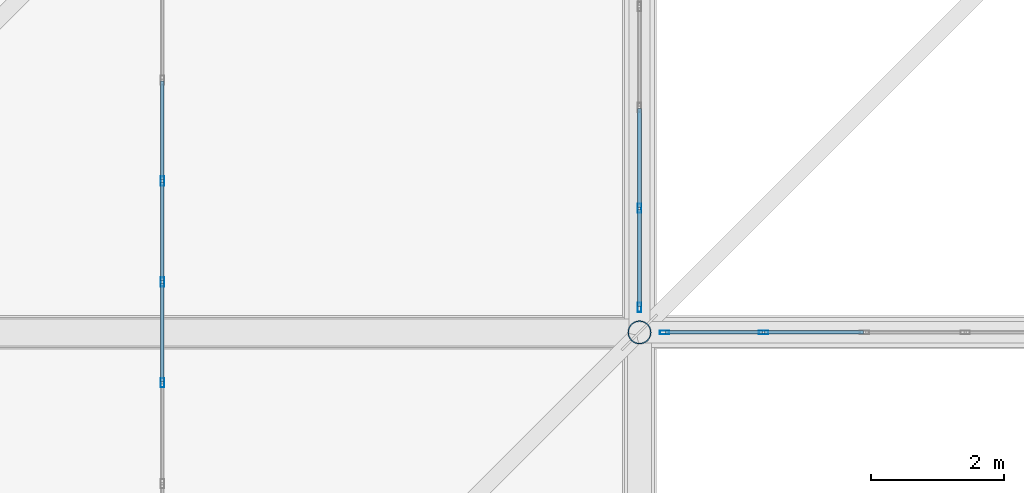
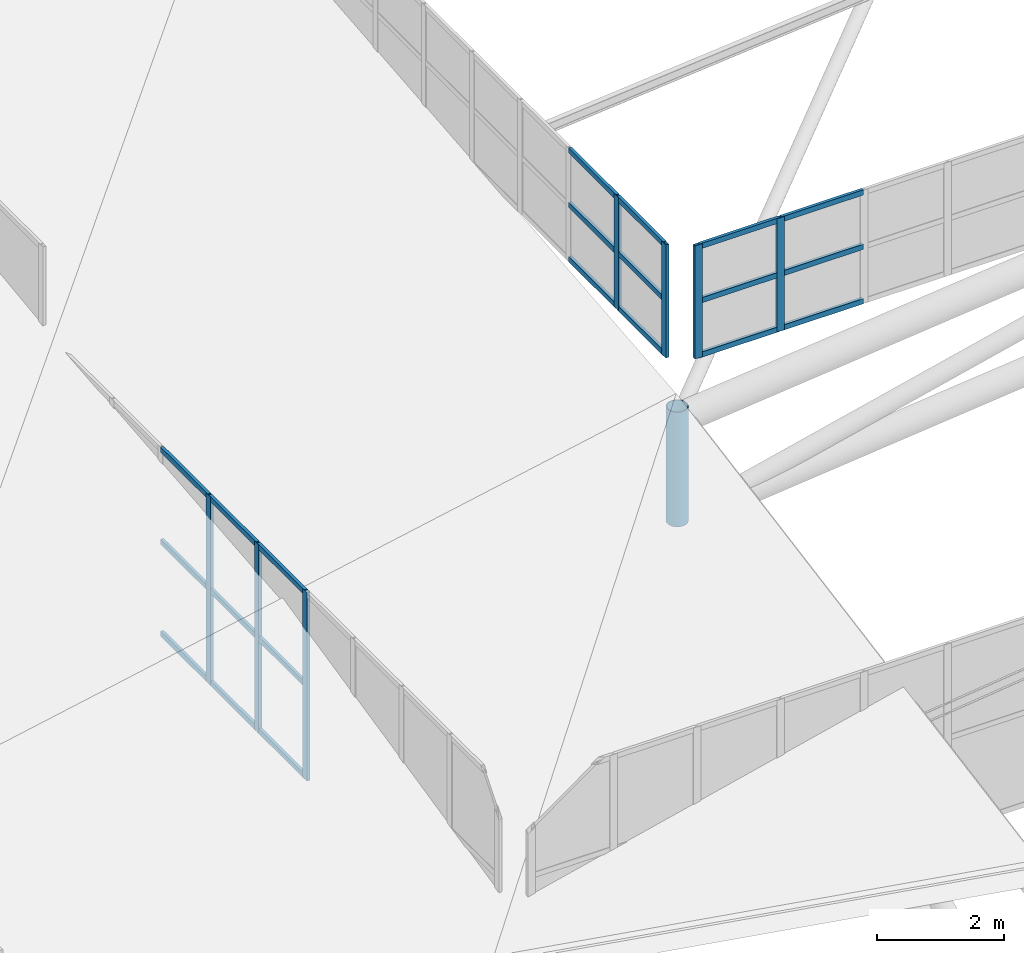
# One storey, part 17 of 397: 29 members, 3 elements without a shape of their own.
"""IFC4 building model written with IfcOpenShell, lengths in metres."""

import ifcopenshell
import ifcopenshell.guid

model = None  # the IFC model being written
_history = None  # IfcOwnerHistory: only IFC2X3 demands one
_inside = {}  # id of a spatial element -> (the spatial element, [elements in it])
_under = {}  # id of a project, library or spatial element -> (it, [spatial elements below it])
_declared = {}  # id of a project -> (the project, [libraries it declares])
_typed = {}  # id of a type object -> (the type object, [elements of that type])
_made_of = {}  # id of a material, layer set ... -> (it, [elements and type objects made of it])


def new_model(schema):
    """Start an empty IFC model of exactly this schema.

    Asked for "IFC4X3", IfcOpenShell would pick the latest addendum, in which some entities
    have other attributes; the version numbers below select the first issue.
    IFC2X3 requires an IfcOwnerHistory on every rooted entity: one is made here for all.
    """
    global model, _history
    if schema == "IFC4X3":
        model = ifcopenshell.file(schema_version=(4, 3, 0, 0))
    else:
        model = ifcopenshell.file(schema=schema)
    _inside.clear()
    _under.clear()
    _declared.clear()
    _typed.clear()
    _made_of.clear()
    _history = None
    if model.schema == "IFC2X3":
        org = make("IfcOrganization", Name="unknown")
        user = make(
            "IfcPersonAndOrganization",
            ThePerson=make("IfcPerson", FamilyName="unknown"),
            TheOrganization=org,
        )
        app = make(
            "IfcApplication",
            ApplicationDeveloper=org,
            Version="unknown",
            ApplicationFullName="unknown",
            ApplicationIdentifier="unknown",
        )
        _history = make(
            "IfcOwnerHistory",
            OwningUser=user,
            OwningApplication=app,
            ChangeAction="ADDED",
            CreationDate=0,
        )
    return model


def make(cls, **values):
    """One entity of the class cls with the attributes given. An attribute that is None is left unset."""
    return model.create_entity(
        cls, **{name: value for name, value in values.items() if value is not None}
    )


def rooted(cls, **values):
    """An entity with a GlobalId (a new one), such as an element, a storey or a relation."""
    return make(cls, GlobalId=ifcopenshell.guid.new(), OwnerHistory=_history, **values)


def si_unit(unit_type, name, prefix=None):
    """IfcSIUnit, for example si_unit("LENGTHUNIT", "METRE", prefix="MILLI")."""
    return make("IfcSIUnit", UnitType=unit_type, Prefix=prefix, Name=name)


def assignment(units):
    """IfcUnitAssignment: the units of a project."""
    return None if units is None else make("IfcUnitAssignment", Units=units)


def point(xyz):
    """IfcCartesianPoint."""
    return None if xyz is None else make("IfcCartesianPoint", Coordinates=xyz)


def direction(xyz):
    """IfcDirection."""
    return None if xyz is None else make("IfcDirection", DirectionRatios=xyz)


def frame(location, z_axis=None, x_axis=None):
    """IfcAxis2Placement3D, a coordinate frame: its origin and axes. An axis left out is left unset."""
    return make(
        "IfcAxis2Placement3D",
        Location=point(location),
        Axis=direction(z_axis),
        RefDirection=direction(x_axis),
    )


def frame_2d(location, x_axis=None):
    """IfcAxis2Placement2D, a coordinate frame in the plane: its origin and x axis."""
    return make(
        "IfcAxis2Placement2D", Location=point(location), RefDirection=direction(x_axis)
    )


def origin():
    """The frame at (0, 0, 0) with its axes left unset."""
    return frame((0.0, 0.0, 0.0))


def origin_2d():
    """The frame at (0, 0) in the plane with its x axis left unset."""
    return frame_2d((0.0, 0.0))


def place(relative_to, where):
    """IfcLocalPlacement: puts the frame where relative to a parent placement (None: the world)."""
    return make(
        "IfcLocalPlacement", PlacementRelTo=relative_to, RelativePlacement=where
    )


def context(
    kind, dimensions, precision=None, world=None, true_north=None, identifier=None
):
    """IfcGeometricRepresentationContext, for example the 3D "Model" context."""
    return make(
        "IfcGeometricRepresentationContext",
        ContextIdentifier=identifier,
        ContextType=kind,
        CoordinateSpaceDimension=dimensions,
        Precision=precision,
        WorldCoordinateSystem=world,
        TrueNorth=true_north,
    )


def subcontext(parent, identifier, kind, view, scale=None):
    """IfcGeometricRepresentationSubContext, for example "Body" below "Model"."""
    return make(
        "IfcGeometricRepresentationSubContext",
        ContextIdentifier=identifier,
        ContextType=kind,
        ParentContext=parent,
        TargetScale=scale,
        TargetView=view,
    )


def project(units=None, contexts=None):
    """IfcProject with its units and contexts."""
    return rooted(
        "IfcProject",
        Name="project",
        RepresentationContexts=contexts,
        UnitsInContext=assignment(units),
    )


def spatial(cls, under=None, at=None, **own):
    """A site, building, storey or space (cls), placed at a placement, below another one or the project."""
    s = rooted(cls, ObjectPlacement=at, **own)
    if under is not None:
        _under.setdefault(under.id(), (under, []))[1].append(s)
    return s


def profile(cls, at=None, kind="AREA", **sizes):
    """A parametric profile (cls). Its sizes go by their IFC names, for example OverallWidth=200.0."""
    return make(cls, ProfileType=kind, Position=at, **sizes)


def hollow_rectangle(**sizes):
    """IfcRectangleHollowProfileDef."""
    return profile("IfcRectangleHollowProfileDef", **sizes)


def hollow_circle(**sizes):
    """IfcCircleHollowProfileDef."""
    return profile("IfcCircleHollowProfileDef", **sizes)


def extrude(swept, where, along, depth):
    """IfcExtrudedAreaSolid: the profile swept, set in the frame where, extruded along a direction by depth."""
    return make(
        "IfcExtrudedAreaSolid",
        SweptArea=swept,
        Position=where,
        ExtrudedDirection=direction(along),
        Depth=depth,
    )


def shape(context_of_items, identifier, shape_type, items):
    """IfcShapeRepresentation: the items that make up one representation, for example the "Body"."""
    return make(
        "IfcShapeRepresentation",
        ContextOfItems=context_of_items,
        RepresentationIdentifier=identifier,
        RepresentationType=shape_type,
        Items=items,
    )


def material(Name=None, Category=None):
    """IfcMaterial."""
    return make("IfcMaterial", Name=Name, Category=Category)


def material_profile(
    of_material, cross_section, Name=None, Category=None, Priority=None
):
    """IfcMaterialProfile: a cross section and its material."""
    return make(
        "IfcMaterialProfile",
        Name=Name,
        Material=of_material,
        Profile=cross_section,
        Priority=Priority,
        Category=Category,
    )


def profile_set(profiles, Name=None, composite=None):
    """IfcMaterialProfileSet."""
    return make(
        "IfcMaterialProfileSet",
        Name=Name,
        MaterialProfiles=profiles,
        CompositeProfile=composite,
    )


def made_of(thing, what):
    """Note that an element or type object is made of a material, layer set ...; save() writes the relation."""
    if what is not None:
        _made_of.setdefault(what.id(), (what, []))[1].append(thing)
    return thing


def type_object(cls, material=None, **own):
    """A type object (cls), such as IfcWallType, which elements share."""
    return made_of(rooted(cls, **own), material)


def element(
    cls,
    number,
    at=None,
    inside=None,
    cuts=None,
    type_object=None,
    material=None,
    context=None,
    identifier="Body",
    shape_type=None,
    held_by="IfcProductDefinitionShape",
    body=None,
    shapes=None,
    **own,
):
    """One element of the class cls, such as IfcWall. Its Tag is "e" and its number.

    at: its placement. inside: the storey or other place that contains it. cuts: it is an
    opening in that element (IfcRelVoidsElement). A single representation is given by context,
    identifier, shape_type and body (its items); several are given by shapes. held_by: the class
    of the entity that holds the representations. save() writes the other relations.
    """
    e = rooted(cls, Tag="e%d" % number, ObjectPlacement=at, **own)
    if body is not None:
        shapes = [shape(context, identifier, shape_type, body)]
    if shapes is not None:
        e.Representation = make(held_by, Representations=shapes)
    if inside is not None:
        _inside.setdefault(inside.id(), (inside, []))[1].append(e)
    if cuts is not None:
        rooted(
            "IfcRelVoidsElement", RelatingBuildingElement=cuts, RelatedOpeningElement=e
        )
    if type_object is not None:
        _typed.setdefault(type_object.id(), (type_object, []))[1].append(e)
    return made_of(e, material)


def aggregate(whole, parts):
    """IfcRelAggregates: a whole, such as a stair, and the parts it consists of."""
    return rooted("IfcRelAggregates", RelatingObject=whole, RelatedObjects=parts)


def save(model, path):
    """Write the relations noted so far, then the file.

    IfcRelAggregates (storeys below a building ...), IfcRelContainedInSpatialStructure (elements
    in a storey), IfcRelDefinesByType, IfcRelAssociatesMaterial and IfcRelDeclares: one each for
    every whole, place, type object, material and project.
    """
    for whole, parts in _under.values():
        aggregate(whole, parts)
    for where, things in _inside.values():
        rooted(
            "IfcRelContainedInSpatialStructure",
            RelatedElements=things,
            RelatingStructure=where,
        )
    for kind, things in _typed.values():
        rooted("IfcRelDefinesByType", RelatedObjects=things, RelatingType=kind)
    for what, things in _made_of.values():
        rooted("IfcRelAssociatesMaterial", RelatedObjects=things, RelatingMaterial=what)
    for by, libraries in _declared.values():
        rooted("IfcRelDeclares", RelatingContext=by, RelatedDefinitions=libraries)
    model.write(path)


model = new_model("IFC4")

# Units and contexts
model_context = context("Model", 3, precision=1e-05, world=origin(), true_north=direction((0.0, 1.0)))
body_context = subcontext(model_context, "Body", "Model", "MODEL_VIEW")
ifc_project = project(units=[si_unit("LENGTHUNIT", "METRE"), si_unit("AREAUNIT", "SQUARE_METRE"), si_unit("VOLUMEUNIT", "CUBIC_METRE"), si_unit("PLANEANGLEUNIT", "RADIAN"), si_unit("MASSUNIT", "GRAM", prefix="KILO")], contexts=[model_context])

# Site, building, storey
site_placement = place(None, origin())
site = spatial("IfcSite", under=ifc_project, at=site_placement, CompositionType="ELEMENT")
building_placement = place(site_placement, origin())
building = spatial("IfcBuilding", under=site, at=building_placement, Name="Qandorah Velis Arena", CompositionType="ELEMENT")
storey_placement = place(building_placement, frame((0.0, 0.0, 27.5)))
storey = spatial("IfcBuildingStorey", under=building, at=storey_placement, Name="RF", CompositionType="ELEMENT", Elevation=27.5)

# Curtain wall, members
ifc_material_1 = material(Name="Solar-control low-E double glazing", Category="glass")
curtain_wall_type_1 = type_object("IfcCurtainWallType", Name="ARC-CW-SYS07", PredefinedType="USERDEFINED", material=ifc_material_1)
curtain_wall_1_placement = place(storey_placement, origin())
curtain_wall_1 = element("IfcCurtainWall", 1, at=curtain_wall_1_placement, inside=storey, type_object=curtain_wall_type_1, Name="Unitised curtain wall MON-1-1", ObjectType="UNITISED CURTAIN WALL", PredefinedType="USERDEFINED")
ifc_material_2 = material(Name="Champagne-bronze anodized aluminium 6063-T6", Category="aluminium")
ifc_material_profile_1 = material_profile(ifc_material_2, hollow_rectangle(XDim=0.054931640625, YDim=0.139892578125, WallThickness=0.0029296875, at=origin_2d()), Name="ALU MULLION 55x140")
ifc_profile_set_1 = profile_set([ifc_material_profile_1], Name="Champagne-bronze anodized aluminium 6063-T6")
member_type_1 = type_object("IfcMemberType", Name="ARC-CWM-140", PredefinedType="MULLION", material=ifc_profile_set_1)
member_1_placement = place(storey_placement, frame((21.60009765625, 28.038818359375, 3.5263671875), z_axis=(0.0, 0.0, 1.0), x_axis=(-1.0, 0.0, 0.0)))
member_1 = element("IfcMember", 2, at=member_1_placement, type_object=member_type_1, Name="CW07 mullion 5", PredefinedType="MULLION", context=body_context, shape_type="SweptSolid", body=[
    extrude(hollow_rectangle(XDim=0.054931640625, YDim=0.139892578125, WallThickness=0.0029296875, at=origin_2d()), origin(), (0.0, 0.0, 1.0), 3.630126953125),
])
member_2_placement = place(storey_placement, frame((21.60009765625, 29.56103515625, 3.5263671875), z_axis=(0.0, 0.0, 1.0), x_axis=(-1.0, 0.0, 0.0)))
member_2 = element("IfcMember", 3, at=member_2_placement, type_object=member_type_1, Name="CW07 mullion 6", PredefinedType="MULLION", context=body_context, shape_type="SweptSolid", body=[
    extrude(hollow_rectangle(XDim=0.054931640625, YDim=0.139892578125, WallThickness=0.0029296875, at=origin_2d()), origin(), (0.0, 0.0, 1.0), 3.630126953125),
])
member_3_placement = place(storey_placement, frame((21.60009765625, 31.083251953125, 3.5263671875), z_axis=(0.0, 0.0, 1.0), x_axis=(-1.0, 0.0, 0.0)))
member_3 = element("IfcMember", 4, at=member_3_placement, type_object=member_type_1, Name="CW07 mullion 7", PredefinedType="MULLION", context=body_context, shape_type="SweptSolid", body=[
    extrude(hollow_rectangle(XDim=0.054931640625, YDim=0.139892578125, WallThickness=0.0029296875, at=origin_2d()), origin(), (0.0, 0.0, 1.0), 3.630126953125),
])

curtain_wall_type_2 = type_object("IfcCurtainWallType", Name="ARC-CW-SYS06", PredefinedType="USERDEFINED", material=ifc_material_1)
curtain_wall_2_placement = place(storey_placement, origin())
curtain_wall_2 = element("IfcCurtainWall", 5, at=curtain_wall_2_placement, inside=storey, type_object=curtain_wall_type_2, Name="Unitised curtain wall OCULUS-1-1", ObjectType="UNITISED CURTAIN WALL", PredefinedType="USERDEFINED")
member_4_placement = place(storey_placement, frame((28.800048828125, 29.177490234375, 8.470947265625), z_axis=(0.0, 0.0, 1.0), x_axis=(-1.0, 0.0, 0.0)))
member_4 = element("IfcMember", 6, at=member_4_placement, type_object=member_type_1, Name="CW06 mullion 1", PredefinedType="MULLION", context=body_context, shape_type="SweptSolid", body=[
    extrude(hollow_rectangle(XDim=0.054931640625, YDim=0.139892578125, WallThickness=0.0029296875, at=origin_2d()), origin(), (0.0, 0.0, 1.0), 2.179931640625),
])
member_5_placement = place(storey_placement, frame((28.800048828125, 30.672119140625, 8.470947265625), z_axis=(0.0, 0.0, 1.0), x_axis=(-1.0, 0.0, 0.0)))
member_5 = element("IfcMember", 7, at=member_5_placement, type_object=member_type_1, Name="CW06 mullion 2", PredefinedType="MULLION", context=body_context, shape_type="SweptSolid", body=[
    extrude(hollow_rectangle(XDim=0.054931640625, YDim=0.139892578125, WallThickness=0.0029296875, at=origin_2d()), origin(), (0.0, 0.0, 1.0), 2.179931640625),
])

curtain_wall_type_3 = type_object("IfcCurtainWallType", Name="ARC-CW-SYS16", PredefinedType="USERDEFINED", material=ifc_material_1)
curtain_wall_3_placement = place(storey_placement, origin())
curtain_wall_3 = element("IfcCurtainWall", 8, at=curtain_wall_3_placement, inside=storey, type_object=curtain_wall_type_3, Name="Unitised curtain wall OCULUS-3-1", ObjectType="UNITISED CURTAIN WALL", PredefinedType="USERDEFINED")
member_6_placement = place(storey_placement, frame((29.177490234375, 28.800048828125, 8.53515625), z_axis=(0.0, 0.0, 1.0), x_axis=(0.0, 1.0, 0.0)))
member_6 = element("IfcMember", 9, at=member_6_placement, type_object=member_type_1, Name="CW16 mullion 1", PredefinedType="MULLION", context=body_context, shape_type="SweptSolid", body=[
    extrude(hollow_rectangle(XDim=0.054931640625, YDim=0.139892578125, WallThickness=0.0029296875, at=origin_2d()), origin(), (0.0, 0.0, 1.0), 2.179931640625),
])
member_7_placement = place(storey_placement, frame((30.672119140625, 28.800048828125, 8.53515625), z_axis=(0.0, 0.0, 1.0), x_axis=(0.0, 1.0, 0.0)))
member_7 = element("IfcMember", 10, at=member_7_placement, type_object=member_type_1, Name="CW16 mullion 2", PredefinedType="MULLION", context=body_context, shape_type="SweptSolid", body=[
    extrude(hollow_rectangle(XDim=0.054931640625, YDim=0.139892578125, WallThickness=0.0029296875, at=origin_2d()), origin(), (0.0, 0.0, 1.0), 2.179931640625),
])

# Member
ifc_material_profile_2 = material_profile(ifc_material_2, hollow_rectangle(XDim=0.054931640625, YDim=0.10009765625, WallThickness=0.0029296875, at=origin_2d()), Name="ALU TRANSOM 55x100")
ifc_profile_set_2 = profile_set([ifc_material_profile_2], Name="Champagne-bronze anodized aluminium 6063-T6")
member_type_2 = type_object("IfcMemberType", Name="ARC-CWT-100", PredefinedType="USERDEFINED", material=ifc_profile_set_2)
member_8_placement = place(storey_placement, frame((21.60009765625, 28.054443359375, 3.56884765625), z_axis=(0.0, 1.0, 0.0), x_axis=(-1.0, 0.0, 0.0)))
member_8 = element("IfcMember", 11, at=member_8_placement, type_object=member_type_2, Name="CW07 transom 5.1", ObjectType="TRANSOM", PredefinedType="USERDEFINED", context=body_context, shape_type="SweptSolid", body=[
    extrude(hollow_rectangle(XDim=0.054931640625, YDim=0.10009765625, WallThickness=0.0029296875, at=origin_2d()), origin(), (0.0, 0.0, 1.0), 1.4912109375),
])

member_9_placement = place(storey_placement, frame((21.60009765625, 28.054443359375, 5.34130859375), z_axis=(0.0, 1.0, 0.0), x_axis=(-1.0, 0.0, 0.0)))
member_9 = element("IfcMember", 12, at=member_9_placement, type_object=member_type_2, Name="CW07 transom 5.2", ObjectType="TRANSOM", PredefinedType="USERDEFINED", context=body_context, shape_type="SweptSolid", body=[
    extrude(hollow_rectangle(XDim=0.054931640625, YDim=0.10009765625, WallThickness=0.0029296875, at=origin_2d()), origin(), (0.0, 0.0, 1.0), 1.4912109375),
])

member_10_placement = place(storey_placement, frame((21.60009765625, 28.054443359375, 7.114013671875), z_axis=(0.0, 1.0, 0.0), x_axis=(-1.0, 0.0, 0.0)))
member_10 = element("IfcMember", 13, at=member_10_placement, type_object=member_type_2, Name="CW07 transom 5.3", ObjectType="TRANSOM", PredefinedType="USERDEFINED", context=body_context, shape_type="SweptSolid", body=[
    extrude(hollow_rectangle(XDim=0.054931640625, YDim=0.10009765625, WallThickness=0.0029296875, at=origin_2d()), origin(), (0.0, 0.0, 1.0), 1.4912109375),
])

member_11_placement = place(storey_placement, frame((21.60009765625, 29.57666015625, 3.56884765625), z_axis=(0.0, 1.0, 0.0), x_axis=(-1.0, 0.0, 0.0)))
member_11 = element("IfcMember", 14, at=member_11_placement, type_object=member_type_2, Name="CW07 transom 6.1", ObjectType="TRANSOM", PredefinedType="USERDEFINED", context=body_context, shape_type="SweptSolid", body=[
    extrude(hollow_rectangle(XDim=0.054931640625, YDim=0.10009765625, WallThickness=0.0029296875, at=origin_2d()), origin(), (0.0, 0.0, 1.0), 1.4912109375),
])

member_12_placement = place(storey_placement, frame((21.60009765625, 29.57666015625, 5.34130859375), z_axis=(0.0, 1.0, 0.0), x_axis=(-1.0, 0.0, 0.0)))
member_12 = element("IfcMember", 15, at=member_12_placement, type_object=member_type_2, Name="CW07 transom 6.2", ObjectType="TRANSOM", PredefinedType="USERDEFINED", context=body_context, shape_type="SweptSolid", body=[
    extrude(hollow_rectangle(XDim=0.054931640625, YDim=0.10009765625, WallThickness=0.0029296875, at=origin_2d()), origin(), (0.0, 0.0, 1.0), 1.4912109375),
])

member_13_placement = place(storey_placement, frame((21.60009765625, 29.57666015625, 7.114013671875), z_axis=(0.0, 1.0, 0.0), x_axis=(-1.0, 0.0, 0.0)))
member_13 = element("IfcMember", 16, at=member_13_placement, type_object=member_type_2, Name="CW07 transom 6.3", ObjectType="TRANSOM", PredefinedType="USERDEFINED", context=body_context, shape_type="SweptSolid", body=[
    extrude(hollow_rectangle(XDim=0.054931640625, YDim=0.10009765625, WallThickness=0.0029296875, at=origin_2d()), origin(), (0.0, 0.0, 1.0), 1.4912109375),
])

member_14_placement = place(storey_placement, frame((21.60009765625, 31.098876953125, 3.56884765625), z_axis=(0.0, 1.0, 0.0), x_axis=(-1.0, 0.0, 0.0)))
member_14 = element("IfcMember", 17, at=member_14_placement, type_object=member_type_2, Name="CW07 transom 7.1", ObjectType="TRANSOM", PredefinedType="USERDEFINED", context=body_context, shape_type="SweptSolid", body=[
    extrude(hollow_rectangle(XDim=0.054931640625, YDim=0.10009765625, WallThickness=0.0029296875, at=origin_2d()), origin(), (0.0, 0.0, 1.0), 1.4912109375),
])

member_15_placement = place(storey_placement, frame((21.60009765625, 31.098876953125, 5.34130859375), z_axis=(0.0, 1.0, 0.0), x_axis=(-1.0, 0.0, 0.0)))
member_15 = element("IfcMember", 18, at=member_15_placement, type_object=member_type_2, Name="CW07 transom 7.2", ObjectType="TRANSOM", PredefinedType="USERDEFINED", context=body_context, shape_type="SweptSolid", body=[
    extrude(hollow_rectangle(XDim=0.054931640625, YDim=0.10009765625, WallThickness=0.0029296875, at=origin_2d()), origin(), (0.0, 0.0, 1.0), 1.4912109375),
])

member_16_placement = place(storey_placement, frame((21.60009765625, 31.098876953125, 7.114013671875), z_axis=(0.0, 1.0, 0.0), x_axis=(-1.0, 0.0, 0.0)))
member_16 = element("IfcMember", 19, at=member_16_placement, type_object=member_type_2, Name="CW07 transom 7.3", ObjectType="TRANSOM", PredefinedType="USERDEFINED", context=body_context, shape_type="SweptSolid", body=[
    extrude(hollow_rectangle(XDim=0.054931640625, YDim=0.10009765625, WallThickness=0.0029296875, at=origin_2d()), origin(), (0.0, 0.0, 1.0), 1.4912109375),
])

aggregate(curtain_wall_1, [member_1, member_2, member_3, member_8, member_9, member_10, member_11, member_12, member_13, member_14, member_15, member_16])

member_17_placement = place(storey_placement, frame((28.800048828125, 29.193115234375, 8.513427734375), z_axis=(0.0, 1.0, 0.0), x_axis=(-1.0, 0.0, 0.0)))
member_17 = element("IfcMember", 20, at=member_17_placement, type_object=member_type_2, Name="CW06 transom 1.1", ObjectType="TRANSOM", PredefinedType="USERDEFINED", context=body_context, shape_type="SweptSolid", body=[
    extrude(hollow_rectangle(XDim=0.054931640625, YDim=0.10009765625, WallThickness=0.0029296875, at=origin_2d()), origin(), (0.0, 0.0, 1.0), 1.463623046875),
])

member_18_placement = place(storey_placement, frame((28.800048828125, 29.193115234375, 9.56103515625), z_axis=(0.0, 1.0, 0.0), x_axis=(-1.0, 0.0, 0.0)))
member_18 = element("IfcMember", 21, at=member_18_placement, type_object=member_type_2, Name="CW06 transom 1.2", ObjectType="TRANSOM", PredefinedType="USERDEFINED", context=body_context, shape_type="SweptSolid", body=[
    extrude(hollow_rectangle(XDim=0.054931640625, YDim=0.10009765625, WallThickness=0.0029296875, at=origin_2d()), origin(), (0.0, 0.0, 1.0), 1.463623046875),
])

member_19_placement = place(storey_placement, frame((28.800048828125, 29.193115234375, 10.6083984375), z_axis=(0.0, 1.0, 0.0), x_axis=(-1.0, 0.0, 0.0)))
member_19 = element("IfcMember", 22, at=member_19_placement, type_object=member_type_2, Name="CW06 transom 1.3", ObjectType="TRANSOM", PredefinedType="USERDEFINED", context=body_context, shape_type="SweptSolid", body=[
    extrude(hollow_rectangle(XDim=0.054931640625, YDim=0.10009765625, WallThickness=0.0029296875, at=origin_2d()), origin(), (0.0, 0.0, 1.0), 1.463623046875),
])

member_20_placement = place(storey_placement, frame((28.800048828125, 30.687744140625, 8.513427734375), z_axis=(0.0, 1.0, 0.0), x_axis=(-1.0, 0.0, 0.0)))
member_20 = element("IfcMember", 23, at=member_20_placement, type_object=member_type_2, Name="CW06 transom 2.1", ObjectType="TRANSOM", PredefinedType="USERDEFINED", context=body_context, shape_type="SweptSolid", body=[
    extrude(hollow_rectangle(XDim=0.054931640625, YDim=0.10009765625, WallThickness=0.0029296875, at=origin_2d()), origin(), (0.0, 0.0, 1.0), 1.4912109375),
])

member_21_placement = place(storey_placement, frame((28.800048828125, 30.687744140625, 9.56103515625), z_axis=(0.0, 1.0, 0.0), x_axis=(-1.0, 0.0, 0.0)))
member_21 = element("IfcMember", 24, at=member_21_placement, type_object=member_type_2, Name="CW06 transom 2.2", ObjectType="TRANSOM", PredefinedType="USERDEFINED", context=body_context, shape_type="SweptSolid", body=[
    extrude(hollow_rectangle(XDim=0.054931640625, YDim=0.10009765625, WallThickness=0.0029296875, at=origin_2d()), origin(), (0.0, 0.0, 1.0), 1.4912109375),
])

member_22_placement = place(storey_placement, frame((28.800048828125, 30.687744140625, 10.6083984375), z_axis=(0.0, 1.0, 0.0), x_axis=(-1.0, 0.0, 0.0)))
member_22 = element("IfcMember", 25, at=member_22_placement, type_object=member_type_2, Name="CW06 transom 2.3", ObjectType="TRANSOM", PredefinedType="USERDEFINED", context=body_context, shape_type="SweptSolid", body=[
    extrude(hollow_rectangle(XDim=0.054931640625, YDim=0.10009765625, WallThickness=0.0029296875, at=origin_2d()), origin(), (0.0, 0.0, 1.0), 1.4912109375),
])

aggregate(curtain_wall_2, [member_4, member_5, member_17, member_18, member_19, member_20, member_21, member_22])

member_23_placement = place(storey_placement, frame((29.193115234375, 28.800048828125, 8.57763671875), z_axis=(1.0, 0.0, 0.0), x_axis=(0.0, 1.0, 0.0)))
member_23 = element("IfcMember", 26, at=member_23_placement, type_object=member_type_2, Name="CW16 transom 1.1", ObjectType="TRANSOM", PredefinedType="USERDEFINED", context=body_context, shape_type="SweptSolid", body=[
    extrude(hollow_rectangle(XDim=0.054931640625, YDim=0.10009765625, WallThickness=0.0029296875, at=origin_2d()), origin(), (0.0, 0.0, 1.0), 1.463623046875),
])

member_24_placement = place(storey_placement, frame((29.193115234375, 28.800048828125, 9.625244140625), z_axis=(1.0, 0.0, 0.0), x_axis=(0.0, 1.0, 0.0)))
member_24 = element("IfcMember", 27, at=member_24_placement, type_object=member_type_2, Name="CW16 transom 1.2", ObjectType="TRANSOM", PredefinedType="USERDEFINED", context=body_context, shape_type="SweptSolid", body=[
    extrude(hollow_rectangle(XDim=0.054931640625, YDim=0.10009765625, WallThickness=0.0029296875, at=origin_2d()), origin(), (0.0, 0.0, 1.0), 1.463623046875),
])

member_25_placement = place(storey_placement, frame((29.193115234375, 28.800048828125, 10.672607421875), z_axis=(1.0, 0.0, 0.0), x_axis=(0.0, 1.0, 0.0)))
member_25 = element("IfcMember", 28, at=member_25_placement, type_object=member_type_2, Name="CW16 transom 1.3", ObjectType="TRANSOM", PredefinedType="USERDEFINED", context=body_context, shape_type="SweptSolid", body=[
    extrude(hollow_rectangle(XDim=0.054931640625, YDim=0.10009765625, WallThickness=0.0029296875, at=origin_2d()), origin(), (0.0, 0.0, 1.0), 1.463623046875),
])

member_26_placement = place(storey_placement, frame((30.687744140625, 28.800048828125, 8.57763671875), z_axis=(1.0, 0.0, 0.0), x_axis=(0.0, 1.0, 0.0)))
member_26 = element("IfcMember", 29, at=member_26_placement, type_object=member_type_2, Name="CW16 transom 2.1", ObjectType="TRANSOM", PredefinedType="USERDEFINED", context=body_context, shape_type="SweptSolid", body=[
    extrude(hollow_rectangle(XDim=0.054931640625, YDim=0.10009765625, WallThickness=0.0029296875, at=origin_2d()), origin(), (0.0, 0.0, 1.0), 1.4912109375),
])

member_27_placement = place(storey_placement, frame((30.687744140625, 28.800048828125, 9.625244140625), z_axis=(1.0, 0.0, 0.0), x_axis=(0.0, 1.0, 0.0)))
member_27 = element("IfcMember", 30, at=member_27_placement, type_object=member_type_2, Name="CW16 transom 2.2", ObjectType="TRANSOM", PredefinedType="USERDEFINED", context=body_context, shape_type="SweptSolid", body=[
    extrude(hollow_rectangle(XDim=0.054931640625, YDim=0.10009765625, WallThickness=0.0029296875, at=origin_2d()), origin(), (0.0, 0.0, 1.0), 1.4912109375),
])

member_28_placement = place(storey_placement, frame((30.687744140625, 28.800048828125, 10.672607421875), z_axis=(1.0, 0.0, 0.0), x_axis=(0.0, 1.0, 0.0)))
member_28 = element("IfcMember", 31, at=member_28_placement, type_object=member_type_2, Name="CW16 transom 2.3", ObjectType="TRANSOM", PredefinedType="USERDEFINED", context=body_context, shape_type="SweptSolid", body=[
    extrude(hollow_rectangle(XDim=0.054931640625, YDim=0.10009765625, WallThickness=0.0029296875, at=origin_2d()), origin(), (0.0, 0.0, 1.0), 1.4912109375),
])

aggregate(curtain_wall_3, [member_6, member_7, member_23, member_24, member_25, member_26, member_27, member_28])

ifc_material_3 = material(Name="Steel S355", Category="steel")
ifc_material_profile_3 = material_profile(ifc_material_3, hollow_circle(Radius=0.177734375, WallThickness=0.01611328125, at=origin_2d()), Name="CHS 355.6x16")
ifc_profile_set_3 = profile_set([ifc_material_profile_3], Name="Steel S355")
member_type_3 = type_object("IfcMemberType", Name="STR-SFD-CHS355X16", PredefinedType="STRUT", material=ifc_profile_set_3)
member_29_placement = place(storey_placement, frame((28.800048828125, 28.800048828125, 5.515380859375), z_axis=(0.0, 0.0, 1.0), x_axis=(1.0, 0.0, 0.0)))
element("IfcMember", 32, at=member_29_placement, inside=storey, type_object=member_type_3, Name="Space frame roof vertical post 1.1", PredefinedType="STRUT", context=body_context, shape_type="SweptSolid", body=[
    extrude(hollow_circle(Radius=0.177734375, WallThickness=0.01611328125, at=origin_2d()), origin(), (0.0, 0.0, 1.0), 2.2099609375),
])

save(model, "model.ifc")
